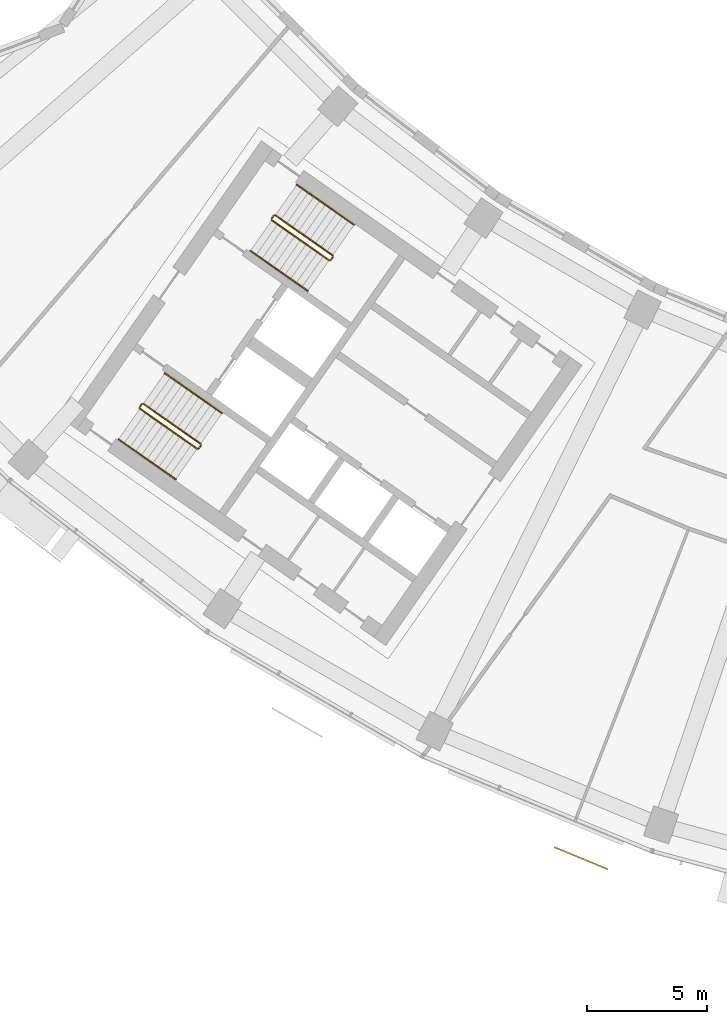
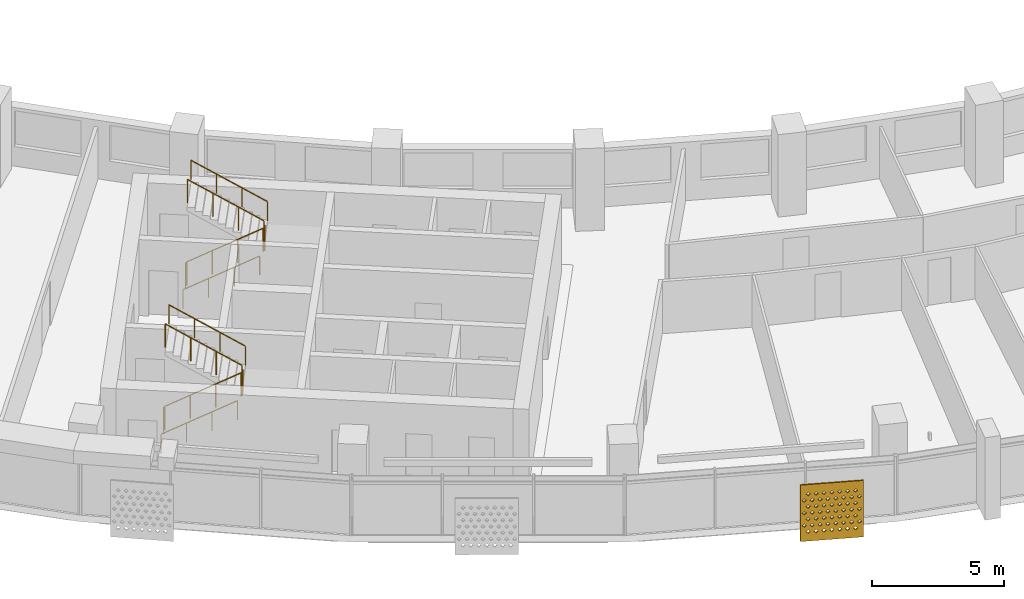
# One storey, part 24 of 26: 10 railings, 1 shading device.
"""IFC4 building model written with IfcOpenShell, lengths in metres."""

from ifc_helpers import new_model, si_unit, direction, frame, origin, origin_2d, place, context, subcontext, project, spatial, polyline, circle, outline, extrude, material, material_profile, profile_set, type_object, element, save


model = new_model("IFC4")

# Units and contexts
model_context = context("Model", 3, precision=1e-05, world=origin(), true_north=direction((0.0, 1.0)))
body_context = subcontext(model_context, "Body", "Model", "MODEL_VIEW")
ifc_project = project(units=[si_unit("LENGTHUNIT", "METRE"), si_unit("AREAUNIT", "SQUARE_METRE"), si_unit("VOLUMEUNIT", "CUBIC_METRE"), si_unit("PLANEANGLEUNIT", "RADIAN"), si_unit("MASSUNIT", "GRAM", prefix="KILO")], contexts=[model_context])

# Site, building, storey
site_placement = place(None, origin())
site = spatial("IfcSite", under=ifc_project, at=site_placement, CompositionType="ELEMENT")
building_placement = place(site_placement, origin())
building = spatial("IfcBuilding", under=site, at=building_placement, Name="Qamariyya Broadcast Tower", CompositionType="ELEMENT")
storey_placement = place(building_placement, frame((0.0, 0.0, 183.5)))
storey = spatial("IfcBuildingStorey", under=building, at=storey_placement, Name="L43", CompositionType="ELEMENT", Elevation=183.5)

# Shading device
ifc_material_1 = material(Name="Perforated glazed terracotta", Category="masonry")
ifc_material_profile = material_profile(ifc_material_1, outline(polyline([(-1.199951171875, -1.300048828125), (1.199951171875, -1.300048828125), (1.199951171875, 1.300048828125), (-1.199951171875, 1.300048828125), (-1.199951171875, -1.300048828125)]), holes=[polyline([(-0.81494140625, -0.86669921875), (-0.89990234375, -0.78173828125), (-0.985107421875, -0.86669921875), (-0.89990234375, -0.95166015625), (-0.81494140625, -0.86669921875)]), polyline([(-0.514892578125, -0.86669921875), (-0.60009765625, -0.78173828125), (-0.68505859375, -0.86669921875), (-0.60009765625, -0.95166015625), (-0.514892578125, -0.86669921875)]), polyline([(-0.215087890625, -0.86669921875), (-0.300048828125, -0.78173828125), (-0.385009765625, -0.86669921875), (-0.300048828125, -0.95166015625), (-0.215087890625, -0.86669921875)]), polyline([(0.0849609375, -0.86669921875), (0.0, -0.78173828125), (-0.0849609375, -0.86669921875), (0.0, -0.95166015625), (0.0849609375, -0.86669921875)]), polyline([(0.385009765625, -0.86669921875), (0.300048828125, -0.78173828125), (0.215087890625, -0.86669921875), (0.300048828125, -0.95166015625), (0.385009765625, -0.86669921875)]), polyline([(0.68505859375, -0.86669921875), (0.60009765625, -0.78173828125), (0.514892578125, -0.86669921875), (0.60009765625, -0.95166015625), (0.68505859375, -0.86669921875)]), polyline([(0.985107421875, -0.86669921875), (0.89990234375, -0.78173828125), (0.81494140625, -0.86669921875), (0.89990234375, -0.95166015625), (0.985107421875, -0.86669921875)]), polyline([(-0.965087890625, -0.577880859375), (-1.050048828125, -0.49267578125), (-1.135009765625, -0.577880859375), (-1.050048828125, -0.662841796875), (-0.965087890625, -0.577880859375)]), polyline([(-0.6650390625, -0.577880859375), (-0.75, -0.49267578125), (-0.8349609375, -0.577880859375), (-0.75, -0.662841796875), (-0.6650390625, -0.577880859375)]), polyline([(-0.364990234375, -0.577880859375), (-0.449951171875, -0.49267578125), (-0.534912109375, -0.577880859375), (-0.449951171875, -0.662841796875), (-0.364990234375, -0.577880859375)]), polyline([(-0.06494140625, -0.577880859375), (-0.14990234375, -0.49267578125), (-0.235107421875, -0.577880859375), (-0.14990234375, -0.662841796875), (-0.06494140625, -0.577880859375)]), polyline([(0.235107421875, -0.577880859375), (0.14990234375, -0.49267578125), (0.06494140625, -0.577880859375), (0.14990234375, -0.662841796875), (0.235107421875, -0.577880859375)]), polyline([(0.534912109375, -0.577880859375), (0.449951171875, -0.49267578125), (0.364990234375, -0.577880859375), (0.449951171875, -0.662841796875), (0.534912109375, -0.577880859375)]), polyline([(0.8349609375, -0.577880859375), (0.75, -0.49267578125), (0.6650390625, -0.577880859375), (0.75, -0.662841796875), (0.8349609375, -0.577880859375)]), polyline([(1.135009765625, -0.577880859375), (1.050048828125, -0.49267578125), (0.965087890625, -0.577880859375), (1.050048828125, -0.662841796875), (1.135009765625, -0.577880859375)]), polyline([(-0.81494140625, -0.288818359375), (-0.89990234375, -0.203857421875), (-0.985107421875, -0.288818359375), (-0.89990234375, -0.373779296875), (-0.81494140625, -0.288818359375)]), polyline([(-0.514892578125, -0.288818359375), (-0.60009765625, -0.203857421875), (-0.68505859375, -0.288818359375), (-0.60009765625, -0.373779296875), (-0.514892578125, -0.288818359375)]), polyline([(-0.215087890625, -0.288818359375), (-0.300048828125, -0.203857421875), (-0.385009765625, -0.288818359375), (-0.300048828125, -0.373779296875), (-0.215087890625, -0.288818359375)]), polyline([(0.0849609375, -0.288818359375), (0.0, -0.203857421875), (-0.0849609375, -0.288818359375), (0.0, -0.373779296875), (0.0849609375, -0.288818359375)]), polyline([(0.385009765625, -0.288818359375), (0.300048828125, -0.203857421875), (0.215087890625, -0.288818359375), (0.300048828125, -0.373779296875), (0.385009765625, -0.288818359375)]), polyline([(0.68505859375, -0.288818359375), (0.60009765625, -0.203857421875), (0.514892578125, -0.288818359375), (0.60009765625, -0.373779296875), (0.68505859375, -0.288818359375)]), polyline([(0.985107421875, -0.288818359375), (0.89990234375, -0.203857421875), (0.81494140625, -0.288818359375), (0.89990234375, -0.373779296875), (0.985107421875, -0.288818359375)]), polyline([(-0.965087890625, 0.0), (-1.050048828125, 0.0849609375), (-1.135009765625, 0.0), (-1.050048828125, -0.0849609375), (-0.965087890625, 0.0)]), polyline([(-0.6650390625, 0.0), (-0.75, 0.0849609375), (-0.8349609375, 0.0), (-0.75, -0.0849609375), (-0.6650390625, 0.0)]), polyline([(-0.364990234375, 0.0), (-0.449951171875, 0.0849609375), (-0.534912109375, 0.0), (-0.449951171875, -0.0849609375), (-0.364990234375, 0.0)]), polyline([(-0.06494140625, 0.0), (-0.14990234375, 0.0849609375), (-0.235107421875, 0.0), (-0.14990234375, -0.0849609375), (-0.06494140625, 0.0)]), polyline([(0.235107421875, 0.0), (0.14990234375, 0.0849609375), (0.06494140625, 0.0), (0.14990234375, -0.0849609375), (0.235107421875, 0.0)]), polyline([(0.534912109375, 0.0), (0.449951171875, 0.0849609375), (0.364990234375, 0.0), (0.449951171875, -0.0849609375), (0.534912109375, 0.0)]), polyline([(0.8349609375, 0.0), (0.75, 0.0849609375), (0.6650390625, 0.0), (0.75, -0.0849609375), (0.8349609375, 0.0)]), polyline([(1.135009765625, 0.0), (1.050048828125, 0.0849609375), (0.965087890625, 0.0), (1.050048828125, -0.0849609375), (1.135009765625, 0.0)]), polyline([(-0.81494140625, 0.288818359375), (-0.89990234375, 0.373779296875), (-0.985107421875, 0.288818359375), (-0.89990234375, 0.203857421875), (-0.81494140625, 0.288818359375)]), polyline([(-0.514892578125, 0.288818359375), (-0.60009765625, 0.373779296875), (-0.68505859375, 0.288818359375), (-0.60009765625, 0.203857421875), (-0.514892578125, 0.288818359375)]), polyline([(-0.215087890625, 0.288818359375), (-0.300048828125, 0.373779296875), (-0.385009765625, 0.288818359375), (-0.300048828125, 0.203857421875), (-0.215087890625, 0.288818359375)]), polyline([(0.0849609375, 0.288818359375), (0.0, 0.373779296875), (-0.0849609375, 0.288818359375), (0.0, 0.203857421875), (0.0849609375, 0.288818359375)]), polyline([(0.385009765625, 0.288818359375), (0.300048828125, 0.373779296875), (0.215087890625, 0.288818359375), (0.300048828125, 0.203857421875), (0.385009765625, 0.288818359375)]), polyline([(0.68505859375, 0.288818359375), (0.60009765625, 0.373779296875), (0.514892578125, 0.288818359375), (0.60009765625, 0.203857421875), (0.68505859375, 0.288818359375)]), polyline([(0.985107421875, 0.288818359375), (0.89990234375, 0.373779296875), (0.81494140625, 0.288818359375), (0.89990234375, 0.203857421875), (0.985107421875, 0.288818359375)]), polyline([(-0.965087890625, 0.577880859375), (-1.050048828125, 0.662841796875), (-1.135009765625, 0.577880859375), (-1.050048828125, 0.49267578125), (-0.965087890625, 0.577880859375)]), polyline([(-0.6650390625, 0.577880859375), (-0.75, 0.662841796875), (-0.8349609375, 0.577880859375), (-0.75, 0.49267578125), (-0.6650390625, 0.577880859375)]), polyline([(-0.364990234375, 0.577880859375), (-0.449951171875, 0.662841796875), (-0.534912109375, 0.577880859375), (-0.449951171875, 0.49267578125), (-0.364990234375, 0.577880859375)]), polyline([(-0.06494140625, 0.577880859375), (-0.14990234375, 0.662841796875), (-0.235107421875, 0.577880859375), (-0.14990234375, 0.49267578125), (-0.06494140625, 0.577880859375)]), polyline([(0.235107421875, 0.577880859375), (0.14990234375, 0.662841796875), (0.06494140625, 0.577880859375), (0.14990234375, 0.49267578125), (0.235107421875, 0.577880859375)]), polyline([(0.534912109375, 0.577880859375), (0.449951171875, 0.662841796875), (0.364990234375, 0.577880859375), (0.449951171875, 0.49267578125), (0.534912109375, 0.577880859375)]), polyline([(0.8349609375, 0.577880859375), (0.75, 0.662841796875), (0.6650390625, 0.577880859375), (0.75, 0.49267578125), (0.8349609375, 0.577880859375)]), polyline([(1.135009765625, 0.577880859375), (1.050048828125, 0.662841796875), (0.965087890625, 0.577880859375), (1.050048828125, 0.49267578125), (1.135009765625, 0.577880859375)]), polyline([(-0.81494140625, 0.86669921875), (-0.89990234375, 0.95166015625), (-0.985107421875, 0.86669921875), (-0.89990234375, 0.78173828125), (-0.81494140625, 0.86669921875)]), polyline([(-0.514892578125, 0.86669921875), (-0.60009765625, 0.95166015625), (-0.68505859375, 0.86669921875), (-0.60009765625, 0.78173828125), (-0.514892578125, 0.86669921875)]), polyline([(-0.215087890625, 0.86669921875), (-0.300048828125, 0.95166015625), (-0.385009765625, 0.86669921875), (-0.300048828125, 0.78173828125), (-0.215087890625, 0.86669921875)]), polyline([(0.0849609375, 0.86669921875), (0.0, 0.95166015625), (-0.0849609375, 0.86669921875), (0.0, 0.78173828125), (0.0849609375, 0.86669921875)]), polyline([(0.385009765625, 0.86669921875), (0.300048828125, 0.95166015625), (0.215087890625, 0.86669921875), (0.300048828125, 0.78173828125), (0.385009765625, 0.86669921875)]), polyline([(0.68505859375, 0.86669921875), (0.60009765625, 0.95166015625), (0.514892578125, 0.86669921875), (0.60009765625, 0.78173828125), (0.68505859375, 0.86669921875)]), polyline([(0.985107421875, 0.86669921875), (0.89990234375, 0.95166015625), (0.81494140625, 0.86669921875), (0.89990234375, 0.78173828125), (0.985107421875, 0.86669921875)])]))
ifc_profile_set = profile_set([ifc_material_profile], Name="Perforated glazed terracotta")
shading_device_type = type_object("IfcShadingDeviceType", Name="Perforated terracotta screen 2400 x 2600", PredefinedType="USERDEFINED", material=ifc_profile_set)
shading_device_placement = place(storey_placement, frame((-28.304931640625, -74.976318359375, 1.35009765625), z_axis=(-0.382591441855, -0.923917630863, 0.0), x_axis=(0.923917630863, -0.382591441855, 0.0)))
element("IfcShadingDevice", 1, at=shading_device_placement, inside=storey, type_object=shading_device_type, Name="e-scr-L43-04-2", ObjectType="SCREEN", PredefinedType="USERDEFINED", context=body_context, shape_type="SweptSolid", body=[
    extrude(outline(polyline([(-1.199951171875, -1.300048828125), (1.199951171875, -1.300048828125), (1.199951171875, 1.300048828125), (-1.199951171875, 1.300048828125), (-1.199951171875, -1.300048828125)]), holes=[polyline([(-0.81494140625, -0.86669921875), (-0.89990234375, -0.78173828125), (-0.985107421875, -0.86669921875), (-0.89990234375, -0.95166015625), (-0.81494140625, -0.86669921875)]), polyline([(-0.514892578125, -0.86669921875), (-0.60009765625, -0.78173828125), (-0.68505859375, -0.86669921875), (-0.60009765625, -0.95166015625), (-0.514892578125, -0.86669921875)]), polyline([(-0.215087890625, -0.86669921875), (-0.300048828125, -0.78173828125), (-0.385009765625, -0.86669921875), (-0.300048828125, -0.95166015625), (-0.215087890625, -0.86669921875)]), polyline([(0.0849609375, -0.86669921875), (0.0, -0.78173828125), (-0.0849609375, -0.86669921875), (0.0, -0.95166015625), (0.0849609375, -0.86669921875)]), polyline([(0.385009765625, -0.86669921875), (0.300048828125, -0.78173828125), (0.215087890625, -0.86669921875), (0.300048828125, -0.95166015625), (0.385009765625, -0.86669921875)]), polyline([(0.68505859375, -0.86669921875), (0.60009765625, -0.78173828125), (0.514892578125, -0.86669921875), (0.60009765625, -0.95166015625), (0.68505859375, -0.86669921875)]), polyline([(0.985107421875, -0.86669921875), (0.89990234375, -0.78173828125), (0.81494140625, -0.86669921875), (0.89990234375, -0.95166015625), (0.985107421875, -0.86669921875)]), polyline([(-0.965087890625, -0.577880859375), (-1.050048828125, -0.49267578125), (-1.135009765625, -0.577880859375), (-1.050048828125, -0.662841796875), (-0.965087890625, -0.577880859375)]), polyline([(-0.6650390625, -0.577880859375), (-0.75, -0.49267578125), (-0.8349609375, -0.577880859375), (-0.75, -0.662841796875), (-0.6650390625, -0.577880859375)]), polyline([(-0.364990234375, -0.577880859375), (-0.449951171875, -0.49267578125), (-0.534912109375, -0.577880859375), (-0.449951171875, -0.662841796875), (-0.364990234375, -0.577880859375)]), polyline([(-0.06494140625, -0.577880859375), (-0.14990234375, -0.49267578125), (-0.235107421875, -0.577880859375), (-0.14990234375, -0.662841796875), (-0.06494140625, -0.577880859375)]), polyline([(0.235107421875, -0.577880859375), (0.14990234375, -0.49267578125), (0.06494140625, -0.577880859375), (0.14990234375, -0.662841796875), (0.235107421875, -0.577880859375)]), polyline([(0.534912109375, -0.577880859375), (0.449951171875, -0.49267578125), (0.364990234375, -0.577880859375), (0.449951171875, -0.662841796875), (0.534912109375, -0.577880859375)]), polyline([(0.8349609375, -0.577880859375), (0.75, -0.49267578125), (0.6650390625, -0.577880859375), (0.75, -0.662841796875), (0.8349609375, -0.577880859375)]), polyline([(1.135009765625, -0.577880859375), (1.050048828125, -0.49267578125), (0.965087890625, -0.577880859375), (1.050048828125, -0.662841796875), (1.135009765625, -0.577880859375)]), polyline([(-0.81494140625, -0.288818359375), (-0.89990234375, -0.203857421875), (-0.985107421875, -0.288818359375), (-0.89990234375, -0.373779296875), (-0.81494140625, -0.288818359375)]), polyline([(-0.514892578125, -0.288818359375), (-0.60009765625, -0.203857421875), (-0.68505859375, -0.288818359375), (-0.60009765625, -0.373779296875), (-0.514892578125, -0.288818359375)]), polyline([(-0.215087890625, -0.288818359375), (-0.300048828125, -0.203857421875), (-0.385009765625, -0.288818359375), (-0.300048828125, -0.373779296875), (-0.215087890625, -0.288818359375)]), polyline([(0.0849609375, -0.288818359375), (0.0, -0.203857421875), (-0.0849609375, -0.288818359375), (0.0, -0.373779296875), (0.0849609375, -0.288818359375)]), polyline([(0.385009765625, -0.288818359375), (0.300048828125, -0.203857421875), (0.215087890625, -0.288818359375), (0.300048828125, -0.373779296875), (0.385009765625, -0.288818359375)]), polyline([(0.68505859375, -0.288818359375), (0.60009765625, -0.203857421875), (0.514892578125, -0.288818359375), (0.60009765625, -0.373779296875), (0.68505859375, -0.288818359375)]), polyline([(0.985107421875, -0.288818359375), (0.89990234375, -0.203857421875), (0.81494140625, -0.288818359375), (0.89990234375, -0.373779296875), (0.985107421875, -0.288818359375)]), polyline([(-0.965087890625, 0.0), (-1.050048828125, 0.0849609375), (-1.135009765625, 0.0), (-1.050048828125, -0.0849609375), (-0.965087890625, 0.0)]), polyline([(-0.6650390625, 0.0), (-0.75, 0.0849609375), (-0.8349609375, 0.0), (-0.75, -0.0849609375), (-0.6650390625, 0.0)]), polyline([(-0.364990234375, 0.0), (-0.449951171875, 0.0849609375), (-0.534912109375, 0.0), (-0.449951171875, -0.0849609375), (-0.364990234375, 0.0)]), polyline([(-0.06494140625, 0.0), (-0.14990234375, 0.0849609375), (-0.235107421875, 0.0), (-0.14990234375, -0.0849609375), (-0.06494140625, 0.0)]), polyline([(0.235107421875, 0.0), (0.14990234375, 0.0849609375), (0.06494140625, 0.0), (0.14990234375, -0.0849609375), (0.235107421875, 0.0)]), polyline([(0.534912109375, 0.0), (0.449951171875, 0.0849609375), (0.364990234375, 0.0), (0.449951171875, -0.0849609375), (0.534912109375, 0.0)]), polyline([(0.8349609375, 0.0), (0.75, 0.0849609375), (0.6650390625, 0.0), (0.75, -0.0849609375), (0.8349609375, 0.0)]), polyline([(1.135009765625, 0.0), (1.050048828125, 0.0849609375), (0.965087890625, 0.0), (1.050048828125, -0.0849609375), (1.135009765625, 0.0)]), polyline([(-0.81494140625, 0.288818359375), (-0.89990234375, 0.373779296875), (-0.985107421875, 0.288818359375), (-0.89990234375, 0.203857421875), (-0.81494140625, 0.288818359375)]), polyline([(-0.514892578125, 0.288818359375), (-0.60009765625, 0.373779296875), (-0.68505859375, 0.288818359375), (-0.60009765625, 0.203857421875), (-0.514892578125, 0.288818359375)]), polyline([(-0.215087890625, 0.288818359375), (-0.300048828125, 0.373779296875), (-0.385009765625, 0.288818359375), (-0.300048828125, 0.203857421875), (-0.215087890625, 0.288818359375)]), polyline([(0.0849609375, 0.288818359375), (0.0, 0.373779296875), (-0.0849609375, 0.288818359375), (0.0, 0.203857421875), (0.0849609375, 0.288818359375)]), polyline([(0.385009765625, 0.288818359375), (0.300048828125, 0.373779296875), (0.215087890625, 0.288818359375), (0.300048828125, 0.203857421875), (0.385009765625, 0.288818359375)]), polyline([(0.68505859375, 0.288818359375), (0.60009765625, 0.373779296875), (0.514892578125, 0.288818359375), (0.60009765625, 0.203857421875), (0.68505859375, 0.288818359375)]), polyline([(0.985107421875, 0.288818359375), (0.89990234375, 0.373779296875), (0.81494140625, 0.288818359375), (0.89990234375, 0.203857421875), (0.985107421875, 0.288818359375)]), polyline([(-0.965087890625, 0.577880859375), (-1.050048828125, 0.662841796875), (-1.135009765625, 0.577880859375), (-1.050048828125, 0.49267578125), (-0.965087890625, 0.577880859375)]), polyline([(-0.6650390625, 0.577880859375), (-0.75, 0.662841796875), (-0.8349609375, 0.577880859375), (-0.75, 0.49267578125), (-0.6650390625, 0.577880859375)]), polyline([(-0.364990234375, 0.577880859375), (-0.449951171875, 0.662841796875), (-0.534912109375, 0.577880859375), (-0.449951171875, 0.49267578125), (-0.364990234375, 0.577880859375)]), polyline([(-0.06494140625, 0.577880859375), (-0.14990234375, 0.662841796875), (-0.235107421875, 0.577880859375), (-0.14990234375, 0.49267578125), (-0.06494140625, 0.577880859375)]), polyline([(0.235107421875, 0.577880859375), (0.14990234375, 0.662841796875), (0.06494140625, 0.577880859375), (0.14990234375, 0.49267578125), (0.235107421875, 0.577880859375)]), polyline([(0.534912109375, 0.577880859375), (0.449951171875, 0.662841796875), (0.364990234375, 0.577880859375), (0.449951171875, 0.49267578125), (0.534912109375, 0.577880859375)]), polyline([(0.8349609375, 0.577880859375), (0.75, 0.662841796875), (0.6650390625, 0.577880859375), (0.75, 0.49267578125), (0.8349609375, 0.577880859375)]), polyline([(1.135009765625, 0.577880859375), (1.050048828125, 0.662841796875), (0.965087890625, 0.577880859375), (1.050048828125, 0.49267578125), (1.135009765625, 0.577880859375)]), polyline([(-0.81494140625, 0.86669921875), (-0.89990234375, 0.95166015625), (-0.985107421875, 0.86669921875), (-0.89990234375, 0.78173828125), (-0.81494140625, 0.86669921875)]), polyline([(-0.514892578125, 0.86669921875), (-0.60009765625, 0.95166015625), (-0.68505859375, 0.86669921875), (-0.60009765625, 0.78173828125), (-0.514892578125, 0.86669921875)]), polyline([(-0.215087890625, 0.86669921875), (-0.300048828125, 0.95166015625), (-0.385009765625, 0.86669921875), (-0.300048828125, 0.78173828125), (-0.215087890625, 0.86669921875)]), polyline([(0.0849609375, 0.86669921875), (0.0, 0.95166015625), (-0.0849609375, 0.86669921875), (0.0, 0.78173828125), (0.0849609375, 0.86669921875)]), polyline([(0.385009765625, 0.86669921875), (0.300048828125, 0.95166015625), (0.215087890625, 0.86669921875), (0.300048828125, 0.78173828125), (0.385009765625, 0.86669921875)]), polyline([(0.68505859375, 0.86669921875), (0.60009765625, 0.95166015625), (0.514892578125, 0.86669921875), (0.60009765625, 0.78173828125), (0.68505859375, 0.86669921875)]), polyline([(0.985107421875, 0.86669921875), (0.89990234375, 0.95166015625), (0.81494140625, 0.86669921875), (0.89990234375, 0.78173828125), (0.985107421875, 0.86669921875)])]), origin(), (0.0, 0.0, 1.0), 0.06005859375),
])

# Railings
ifc_material_2 = material(Name="Painted steel", Category="steel")
railing_type_1 = type_object("IfcRailingType", Name="Stair guard", PredefinedType="GUARDRAIL", material=ifc_material_2)
railing_1_placement = place(storey_placement, frame((-41.146728515625, -48.52490234375, 0.172607421875)))
element("IfcRailing", 2, at=railing_1_placement, inside=storey, type_object=railing_type_1, Name="L43 ST-W2 stair guard 1", PredefinedType="GUARDRAIL", context=body_context, shape_type="SweptSolid", body=[
    extrude(circle(Radius=0.02392578125, at=origin_2d()), frame((0.0, 0.0, 1.076171875), z_axis=(0.703770094002, -0.492783725636, 0.511734163933), x_axis=(0.573575343427, 0.819152809562, 0.0)), (0.0, 0.0, 1.0), 3.37548828125),
    extrude(circle(Radius=0.02392578125, at=origin_2d()), frame((2.37548828125, -1.663330078125, 2.80322265625), z_axis=(0.985059694769, 0.172213233351, 0.0), x_axis=(-0.172213233351, 0.985059694769, 0.0)), (0.0, 0.0, 1.0), 0.07080078125),
    extrude(circle(Radius=0.02392578125, at=origin_2d()), frame((2.4453125, -1.651123046875, 2.80322265625), z_axis=(0.572588637393, 0.819842821722, 0.0), x_axis=(-0.819842821722, 0.572588637393, 0.0)), (0.0, 0.0, 1.0), 0.150146484375),
    extrude(circle(Radius=0.02099609375, at=origin_2d()), origin(), (0.0, 0.0, 1.0), 1.052001953125),
    extrude(circle(Radius=0.02099609375, at=origin_2d()), frame((0.791748046875, -0.554443359375, 0.57568359375)), (0.0, 0.0, 1.0), 1.052001953125),
    extrude(circle(Radius=0.02099609375, at=origin_2d()), frame((1.583740234375, -1.10888671875, 1.151611328125)), (0.0, 0.0, 1.0), 1.052001953125),
    extrude(circle(Radius=0.02099609375, at=origin_2d()), frame((2.37548828125, -1.663330078125, 1.727294921875)), (0.0, 0.0, 1.0), 1.052001953125),
    extrude(circle(Radius=0.02099609375, at=origin_2d()), frame((2.4453125, -1.651123046875, 1.727294921875)), (0.0, 0.0, 1.0), 1.052001953125),
    extrude(circle(Radius=0.02099609375, at=origin_2d()), frame((2.53125, -1.528076171875, 1.727294921875)), (0.0, 0.0, 1.0), 1.052001953125),
])
railing_2_placement = place(storey_placement, frame((-38.627685546875, -49.9833984375, 2.07275390625)))
element("IfcRailing", 3, at=railing_2_placement, inside=storey, type_object=railing_type_1, Name="L43 ST-W2 stair guard 2", PredefinedType="GUARDRAIL", context=body_context, shape_type="SweptSolid", body=[
    extrude(circle(Radius=0.02392578125, at=origin_2d()), frame((0.0, 0.0, 1.076171875), z_axis=(-0.703770094002, 0.492783725636, 0.511734163933), x_axis=(-0.573575343427, -0.819152809562, 0.0)), (0.0, 0.0, 1.0), 3.37548828125),
    extrude(circle(Radius=0.02099609375, at=origin_2d()), origin(), (0.0, 0.0, 1.0), 1.052001953125),
    extrude(circle(Radius=0.02099609375, at=origin_2d()), frame((-0.791748046875, 0.554443359375, 0.57568359375)), (0.0, 0.0, 1.0), 1.052001953125),
    extrude(circle(Radius=0.02099609375, at=origin_2d()), frame((-1.583740234375, 1.10888671875, 1.151611328125)), (0.0, 0.0, 1.0), 1.052001953125),
    extrude(circle(Radius=0.02099609375, at=origin_2d()), frame((-2.37548828125, 1.663330078125, 1.727294921875)), (0.0, 0.0, 1.0), 1.052001953125),
])
railing_3_placement = place(storey_placement, frame((-41.158935546875, -48.455322265625, 0.0)))
element("IfcRailing", 4, at=railing_3_placement, inside=storey, type_object=railing_type_1, Name="L43 ST-W2 stair guard 3", PredefinedType="GUARDRAIL", context=body_context, shape_type="SweptSolid", body=[
    extrude(circle(Radius=0.02392578125, at=origin_2d()), frame((0.0, 0.0, 1.076171875), z_axis=(0.572588637393, 0.819842821722, 0.0), x_axis=(-0.819842821722, 0.572588637393, 0.0)), (0.0, 0.0, 1.0), 0.150146484375),
    extrude(circle(Radius=0.02099609375, at=origin_2d()), origin(), (0.0, 0.0, 1.0), 1.052001953125),
    extrude(circle(Radius=0.02099609375, at=origin_2d()), frame((0.0859375, 0.123046875, 0.0)), (0.0, 0.0, 1.0), 1.052001953125),
])
railing_4_placement = place(storey_placement, frame((-46.624267578125, -56.34765625, 0.172607421875)))
element("IfcRailing", 5, at=railing_4_placement, inside=storey, type_object=railing_type_1, Name="L43 ST-W1 stair guard 1", PredefinedType="GUARDRAIL", context=body_context, shape_type="SweptSolid", body=[
    extrude(circle(Radius=0.02392578125, at=origin_2d()), frame((0.0, 0.0, 1.076171875), z_axis=(0.703745009021, -0.492838488332, 0.511715923826), x_axis=(0.573631830683, 0.819113253969, 0.0)), (0.0, 0.0, 1.0), 3.37548828125),
    extrude(circle(Radius=0.02392578125, at=origin_2d()), frame((2.37548828125, -1.66357421875, 2.80322265625), z_axis=(0.984363469884, 0.176149252506, 0.0), x_axis=(-0.176149252506, 0.984363469884, 0.0)), (0.0, 0.0, 1.0), 0.07080078125),
    extrude(circle(Radius=0.02392578125, at=origin_2d()), frame((2.445068359375, -1.651123046875, 2.80322265625), z_axis=(0.574444878118, 0.818543268254, 0.0), x_axis=(-0.818543268254, 0.574444878118, 0.0)), (0.0, 0.0, 1.0), 0.150146484375),
    extrude(circle(Radius=0.02099609375, at=origin_2d()), origin(), (0.0, 0.0, 1.0), 1.052001953125),
    extrude(circle(Radius=0.02099609375, at=origin_2d()), frame((0.791748046875, -0.554443359375, 0.57568359375)), (0.0, 0.0, 1.0), 1.052001953125),
    extrude(circle(Radius=0.02099609375, at=origin_2d()), frame((1.583740234375, -1.109130859375, 1.151611328125)), (0.0, 0.0, 1.0), 1.052001953125),
    extrude(circle(Radius=0.02099609375, at=origin_2d()), frame((2.37548828125, -1.66357421875, 1.727294921875)), (0.0, 0.0, 1.0), 1.052001953125),
    extrude(circle(Radius=0.02099609375, at=origin_2d()), frame((2.445068359375, -1.651123046875, 1.727294921875)), (0.0, 0.0, 1.0), 1.052001953125),
    extrude(circle(Radius=0.02099609375, at=origin_2d()), frame((2.53125, -1.5283203125, 1.727294921875)), (0.0, 0.0, 1.0), 1.052001953125),
])
railing_5_placement = place(storey_placement, frame((-44.10546875, -57.806396484375, 2.07275390625)))
element("IfcRailing", 6, at=railing_5_placement, inside=storey, type_object=railing_type_1, Name="L43 ST-W1 stair guard 2", PredefinedType="GUARDRAIL", context=body_context, shape_type="SweptSolid", body=[
    extrude(circle(Radius=0.02392578125, at=origin_2d()), frame((0.0, 0.0, 1.076171875), z_axis=(-0.703770094002, 0.492783725636, 0.511734163933), x_axis=(-0.573575343427, -0.819152809562, 0.0)), (0.0, 0.0, 1.0), 3.37548828125),
    extrude(circle(Radius=0.02099609375, at=origin_2d()), origin(), (0.0, 0.0, 1.0), 1.052001953125),
    extrude(circle(Radius=0.02099609375, at=origin_2d()), frame((-0.791748046875, 0.554443359375, 0.57568359375)), (0.0, 0.0, 1.0), 1.052001953125),
    extrude(circle(Radius=0.02099609375, at=origin_2d()), frame((-1.583740234375, 1.10888671875, 1.151611328125)), (0.0, 0.0, 1.0), 1.052001953125),
    extrude(circle(Radius=0.02099609375, at=origin_2d()), frame((-2.37548828125, 1.663330078125, 1.727294921875)), (0.0, 0.0, 1.0), 1.052001953125),
])
railing_6_placement = place(storey_placement, frame((-46.63671875, -56.278076171875, 0.0)))
element("IfcRailing", 7, at=railing_6_placement, inside=storey, type_object=railing_type_1, Name="L43 ST-W1 stair guard 3", PredefinedType="GUARDRAIL", context=body_context, shape_type="SweptSolid", body=[
    extrude(circle(Radius=0.02392578125, at=origin_2d()), frame((0.0, 0.0, 1.076171875), z_axis=(0.574444878118, 0.818543268254, 0.0), x_axis=(-0.818543268254, 0.574444878118, 0.0)), (0.0, 0.0, 1.0), 0.150146484375),
    extrude(circle(Radius=0.02099609375, at=origin_2d()), origin(), (0.0, 0.0, 1.0), 1.052001953125),
    extrude(circle(Radius=0.02099609375, at=origin_2d()), frame((0.086181640625, 0.122802734375, 0.0)), (0.0, 0.0, 1.0), 1.052001953125),
])
ifc_material_3 = material(Name="Stainless steel", Category="steel")
railing_type_2 = type_object("IfcRailingType", Name="Stair handrail", PredefinedType="HANDRAIL", material=ifc_material_3)
railing_7_placement = place(storey_placement, frame((-42.03564453125, -49.79443359375, 0.172607421875)))
element("IfcRailing", 8, at=railing_7_placement, inside=storey, type_object=railing_type_2, Name="L43 ST-W2 stair handrail 1", PredefinedType="HANDRAIL", context=body_context, shape_type="SweptSolid", body=[
    extrude(circle(Radius=0.02392578125, at=origin_2d()), frame((0.0, 0.0, 0.8759765625), z_axis=(0.703745009021, -0.492838488332, 0.511715923826), x_axis=(0.573631830683, 0.819113253969, 0.0)), (0.0, 0.0, 1.0), 3.37548828125),
    extrude(circle(Radius=0.02099609375, at=origin_2d()), origin(), (0.0, 0.0, 1.0), 0.851806640625),
    extrude(circle(Radius=0.02099609375, at=origin_2d()), frame((0.791748046875, -0.554443359375, 0.57568359375)), (0.0, 0.0, 1.0), 0.851806640625),
    extrude(circle(Radius=0.02099609375, at=origin_2d()), frame((1.583740234375, -1.109130859375, 1.151611328125)), (0.0, 0.0, 1.0), 0.851806640625),
    extrude(circle(Radius=0.02099609375, at=origin_2d()), frame((2.37548828125, -1.66357421875, 1.727294921875)), (0.0, 0.0, 1.0), 0.851806640625),
])
railing_8_placement = place(storey_placement, frame((-37.73876953125, -48.7138671875, 2.07275390625)))
element("IfcRailing", 9, at=railing_8_placement, inside=storey, type_object=railing_type_2, Name="L43 ST-W2 stair handrail 2", PredefinedType="HANDRAIL", context=body_context, shape_type="SweptSolid", body=[
    extrude(circle(Radius=0.02392578125, at=origin_2d()), frame((0.0, 0.0, 0.8759765625), z_axis=(-0.703745009021, 0.492838488332, 0.511715923826), x_axis=(-0.573631830683, -0.819113253969, 0.0)), (0.0, 0.0, 1.0), 3.37548828125),
    extrude(circle(Radius=0.02099609375, at=origin_2d()), origin(), (0.0, 0.0, 1.0), 0.851806640625),
    extrude(circle(Radius=0.02099609375, at=origin_2d()), frame((-0.791748046875, 0.554443359375, 0.57568359375)), (0.0, 0.0, 1.0), 0.851806640625),
    extrude(circle(Radius=0.02099609375, at=origin_2d()), frame((-1.583740234375, 1.109130859375, 1.151611328125)), (0.0, 0.0, 1.0), 0.851806640625),
    extrude(circle(Radius=0.02099609375, at=origin_2d()), frame((-2.37548828125, 1.66357421875, 1.727294921875)), (0.0, 0.0, 1.0), 0.851806640625),
])
railing_9_placement = place(storey_placement, frame((-47.513427734375, -57.617431640625, 0.172607421875)))
element("IfcRailing", 10, at=railing_9_placement, inside=storey, type_object=railing_type_2, Name="L43 ST-W1 stair handrail 1", PredefinedType="HANDRAIL", context=body_context, shape_type="SweptSolid", body=[
    extrude(circle(Radius=0.02392578125, at=origin_2d()), frame((0.0, 0.0, 0.8759765625), z_axis=(0.703770094002, -0.492783725636, 0.511734163933), x_axis=(0.573575343427, 0.819152809562, 0.0)), (0.0, 0.0, 1.0), 3.37548828125),
    extrude(circle(Radius=0.02099609375, at=origin_2d()), origin(), (0.0, 0.0, 1.0), 0.851806640625),
    extrude(circle(Radius=0.02099609375, at=origin_2d()), frame((0.791748046875, -0.554443359375, 0.57568359375)), (0.0, 0.0, 1.0), 0.851806640625),
    extrude(circle(Radius=0.02099609375, at=origin_2d()), frame((1.583740234375, -1.10888671875, 1.151611328125)), (0.0, 0.0, 1.0), 0.851806640625),
    extrude(circle(Radius=0.02099609375, at=origin_2d()), frame((2.37548828125, -1.663330078125, 1.727294921875)), (0.0, 0.0, 1.0), 0.851806640625),
])
railing_10_placement = place(storey_placement, frame((-43.21630859375, -56.53662109375, 2.07275390625)))
element("IfcRailing", 11, at=railing_10_placement, inside=storey, type_object=railing_type_2, Name="L43 ST-W1 stair handrail 2", PredefinedType="HANDRAIL", context=body_context, shape_type="SweptSolid", body=[
    extrude(circle(Radius=0.02392578125, at=origin_2d()), frame((0.0, 0.0, 0.8759765625), z_axis=(-0.703770094002, 0.492783725636, 0.511734163933), x_axis=(-0.573575343427, -0.819152809562, 0.0)), (0.0, 0.0, 1.0), 3.37548828125),
    extrude(circle(Radius=0.02099609375, at=origin_2d()), origin(), (0.0, 0.0, 1.0), 0.851806640625),
    extrude(circle(Radius=0.02099609375, at=origin_2d()), frame((-0.791748046875, 0.554443359375, 0.57568359375)), (0.0, 0.0, 1.0), 0.851806640625),
    extrude(circle(Radius=0.02099609375, at=origin_2d()), frame((-1.583740234375, 1.10888671875, 1.151611328125)), (0.0, 0.0, 1.0), 0.851806640625),
    extrude(circle(Radius=0.02099609375, at=origin_2d()), frame((-2.37548828125, 1.663330078125, 1.727294921875)), (0.0, 0.0, 1.0), 0.851806640625),
])

save(model, "model.ifc")
